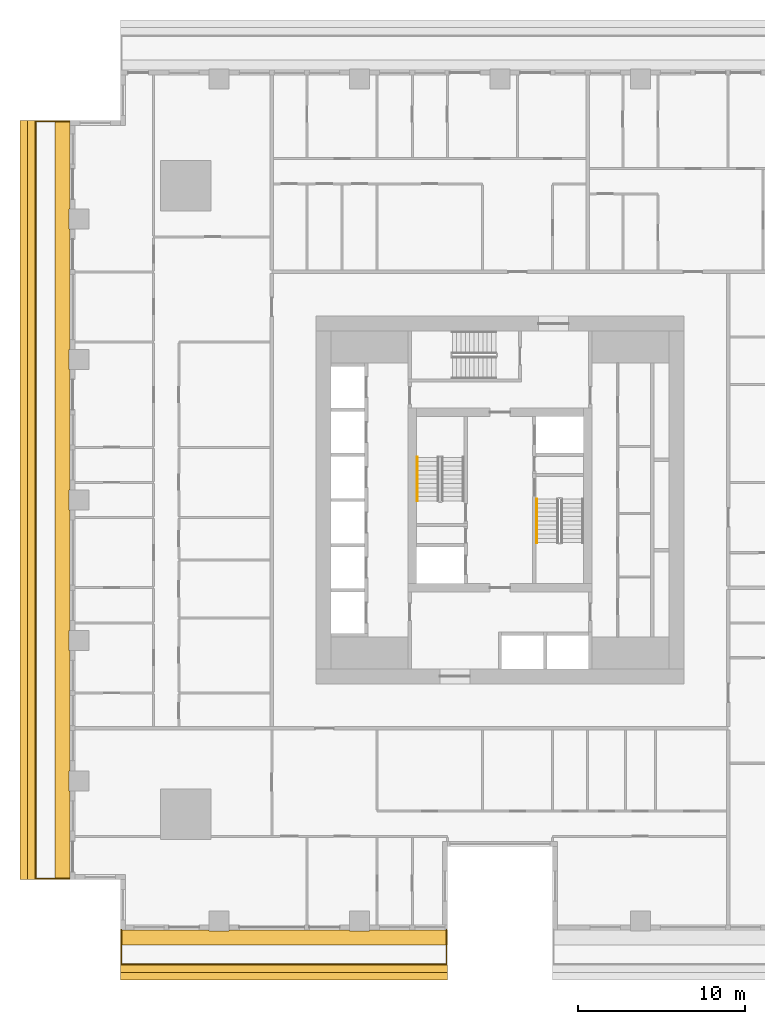
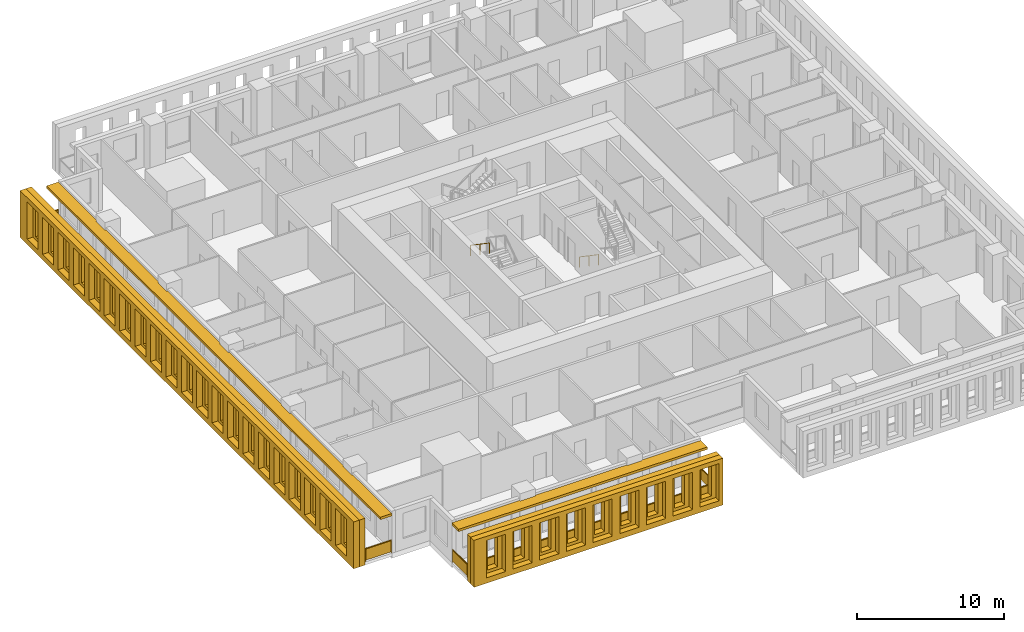
# One storey, part 11 of 15: 6 shading devices, 4 railings.
"""IFC4 building model written with IfcOpenShell, lengths in metres."""

from ifc_helpers import new_model, si_unit, direction, frame, origin, origin_2d, place, context, subcontext, project, spatial, polyline, rectangle, outline, extrude, material, layer, layer_set, type_object, element, save


model = new_model("IFC4")

# Units and contexts
model_context = context("Model", 3, precision=1e-05, world=origin(), true_north=direction((0.0, 1.0)))
body_context = subcontext(model_context, "Body", "Model", "MODEL_VIEW")
ifc_project = project(units=[si_unit("LENGTHUNIT", "METRE"), si_unit("AREAUNIT", "SQUARE_METRE"), si_unit("VOLUMEUNIT", "CUBIC_METRE"), si_unit("PLANEANGLEUNIT", "RADIAN"), si_unit("MASSUNIT", "GRAM", prefix="KILO")], contexts=[model_context])

# Site, building, storey
site_placement = place(None, origin())
site = spatial("IfcSite", under=ifc_project, at=site_placement, CompositionType="ELEMENT")
building_placement = place(site_placement, origin())
building = spatial("IfcBuilding", under=site, at=building_placement, Name="Khepri Terraces", CompositionType="ELEMENT")
storey_placement = place(building_placement, frame((0.0, 0.0, 30.89990234375)))
storey = spatial("IfcBuildingStorey", under=building, at=storey_placement, Name="L06", CompositionType="ELEMENT", Elevation=30.89990234375)

# Railings
ifc_material_1 = material(Name="Stainless steel grade 316", Category="steel")
railing_type_1 = type_object("IfcRailingType", Name="GRD-BAL-1100", PredefinedType="GUARDRAIL", material=ifc_material_1)
railing_1_placement = place(storey_placement, frame((-22.669921875, -25.719970703125, 0.0)))
element("IfcRailing", 1, at=railing_1_placement, inside=storey, type_object=railing_type_1, Name="Balcony guard L06 S", PredefinedType="GUARDRAIL", context=body_context, shape_type="SweptSolid", body=[
    extrude(rectangle(XDim=0.050048828125, YDim=0.06005859375, at=origin_2d()), frame((0.0, 0.0, 1.070068359375), z_axis=(0.0, -1.0, 0.0), x_axis=(1.0, 0.0, 0.0)), (0.0, 0.0, 1.0), 2.050048828125),
    extrude(rectangle(XDim=2.0, YDim=0.011962890625, at=origin_2d()), frame((0.0, -1.02490234375, 0.10009765625), z_axis=(0.0, 0.0, 1.0), x_axis=(0.0, -1.0, 0.0)), (0.0, 0.0, 1.0), 0.93994140625),
    extrude(rectangle(XDim=0.050048828125, YDim=0.06005859375, at=origin_2d()), frame((0.0, -2.050048828125, 1.070068359375), z_axis=(1.0, 0.0, 0.0), x_axis=(0.0, 1.0, 0.0)), (0.0, 0.0, 1.0), 19.469970703125),
    extrude(rectangle(XDim=2.11328125, YDim=0.011962890625, at=origin_2d()), frame((1.08154296875, -2.050048828125, 0.10009765625), z_axis=(0.0, 0.0, 1.0), x_axis=(1.0, 0.0, 0.0)), (0.0, 0.0, 1.0), 0.93994140625),
    extrude(rectangle(XDim=2.11328125, YDim=0.011962890625, at=origin_2d()), frame((3.2451171875, -2.050048828125, 0.10009765625), z_axis=(0.0, 0.0, 1.0), x_axis=(1.0, 0.0, 0.0)), (0.0, 0.0, 1.0), 0.93994140625),
    extrude(rectangle(XDim=2.11328125, YDim=0.011962890625, at=origin_2d()), frame((5.408203125, -2.050048828125, 0.10009765625), z_axis=(0.0, 0.0, 1.0), x_axis=(1.0, 0.0, 0.0)), (0.0, 0.0, 1.0), 0.93994140625),
    extrude(rectangle(XDim=2.11328125, YDim=0.011962890625, at=origin_2d()), frame((7.57177734375, -2.050048828125, 0.10009765625), z_axis=(0.0, 0.0, 1.0), x_axis=(1.0, 0.0, 0.0)), (0.0, 0.0, 1.0), 0.93994140625),
    extrude(rectangle(XDim=2.11328125, YDim=0.011962890625, at=origin_2d()), frame((9.73486328125, -2.050048828125, 0.10009765625), z_axis=(0.0, 0.0, 1.0), x_axis=(1.0, 0.0, 0.0)), (0.0, 0.0, 1.0), 0.93994140625),
    extrude(rectangle(XDim=2.11328125, YDim=0.011962890625, at=origin_2d()), frame((11.8984375, -2.050048828125, 0.10009765625), z_axis=(0.0, 0.0, 1.0), x_axis=(1.0, 0.0, 0.0)), (0.0, 0.0, 1.0), 0.93994140625),
    extrude(rectangle(XDim=2.11328125, YDim=0.011962890625, at=origin_2d()), frame((14.0615234375, -2.050048828125, 0.10009765625), z_axis=(0.0, 0.0, 1.0), x_axis=(1.0, 0.0, 0.0)), (0.0, 0.0, 1.0), 0.93994140625),
    extrude(rectangle(XDim=2.11328125, YDim=0.011962890625, at=origin_2d()), frame((16.22509765625, -2.050048828125, 0.10009765625), z_axis=(0.0, 0.0, 1.0), x_axis=(1.0, 0.0, 0.0)), (0.0, 0.0, 1.0), 0.93994140625),
    extrude(rectangle(XDim=2.11328125, YDim=0.011962890625, at=origin_2d()), frame((18.38818359375, -2.050048828125, 0.10009765625), z_axis=(0.0, 0.0, 1.0), x_axis=(1.0, 0.0, 0.0)), (0.0, 0.0, 1.0), 0.93994140625),
    extrude(rectangle(XDim=0.050048828125, YDim=0.06005859375, at=origin_2d()), frame((19.469970703125, -2.050048828125, 1.070068359375), z_axis=(0.0, 1.0, 0.0), x_axis=(-1.0, 0.0, 0.0)), (0.0, 0.0, 1.0), 2.050048828125),
    extrude(rectangle(XDim=2.0, YDim=0.011962890625, at=origin_2d()), frame((19.469970703125, -1.02490234375, 0.10009765625), z_axis=(0.0, 0.0, 1.0), x_axis=(0.0, 1.0, 0.0)), (0.0, 0.0, 1.0), 0.93994140625),
    extrude(rectangle(XDim=0.050048828125, YDim=0.050048828125, at=origin_2d()), origin(), (0.0, 0.0, 1.0), 1.0400390625),
    extrude(rectangle(XDim=0.050048828125, YDim=0.050048828125, at=origin_2d()), frame((0.0, -2.050048828125, 0.0)), (0.0, 0.0, 1.0), 1.0400390625),
    extrude(rectangle(XDim=0.050048828125, YDim=0.050048828125, at=origin_2d()), frame((2.163330078125, -2.050048828125, 0.0)), (0.0, 0.0, 1.0), 1.0400390625),
    extrude(rectangle(XDim=0.050048828125, YDim=0.050048828125, at=origin_2d()), frame((4.32666015625, -2.050048828125, 0.0)), (0.0, 0.0, 1.0), 1.0400390625),
    extrude(rectangle(XDim=0.050048828125, YDim=0.050048828125, at=origin_2d()), frame((6.489990234375, -2.050048828125, 0.0)), (0.0, 0.0, 1.0), 1.0400390625),
    extrude(rectangle(XDim=0.050048828125, YDim=0.050048828125, at=origin_2d()), frame((8.6533203125, -2.050048828125, 0.0)), (0.0, 0.0, 1.0), 1.0400390625),
    extrude(rectangle(XDim=0.050048828125, YDim=0.050048828125, at=origin_2d()), frame((10.816650390625, -2.050048828125, 0.0)), (0.0, 0.0, 1.0), 1.0400390625),
    extrude(rectangle(XDim=0.050048828125, YDim=0.050048828125, at=origin_2d()), frame((12.97998046875, -2.050048828125, 0.0)), (0.0, 0.0, 1.0), 1.0400390625),
    extrude(rectangle(XDim=0.050048828125, YDim=0.050048828125, at=origin_2d()), frame((15.143310546875, -2.050048828125, 0.0)), (0.0, 0.0, 1.0), 1.0400390625),
    extrude(rectangle(XDim=0.050048828125, YDim=0.050048828125, at=origin_2d()), frame((17.306640625, -2.050048828125, 0.0)), (0.0, 0.0, 1.0), 1.0400390625),
    extrude(rectangle(XDim=0.050048828125, YDim=0.050048828125, at=origin_2d()), frame((19.469970703125, -2.050048828125, 0.0)), (0.0, 0.0, 1.0), 1.0400390625),
    extrude(rectangle(XDim=0.050048828125, YDim=0.050048828125, at=origin_2d()), frame((19.469970703125, 0.0, 0.0)), (0.0, 0.0, 1.0), 1.0400390625),
])
railing_2_placement = place(storey_placement, frame((-25.719970703125, 22.669921875, 0.0)))
element("IfcRailing", 2, at=railing_2_placement, inside=storey, type_object=railing_type_1, Name="Balcony guard L06 W", PredefinedType="GUARDRAIL", context=body_context, shape_type="SweptSolid", body=[
    extrude(rectangle(XDim=0.050048828125, YDim=0.06005859375, at=origin_2d()), frame((0.0, 0.0, 1.070068359375), z_axis=(-1.0, 0.0, 0.0), x_axis=(0.0, -1.0, 0.0)), (0.0, 0.0, 1.0), 2.050048828125),
    extrude(rectangle(XDim=2.0, YDim=0.011962890625, at=origin_2d()), frame((-1.02490234375, 0.0, 0.10009765625), z_axis=(0.0, 0.0, 1.0), x_axis=(-1.0, 0.0, 0.0)), (0.0, 0.0, 1.0), 0.93994140625),
    extrude(rectangle(XDim=0.050048828125, YDim=0.06005859375, at=origin_2d()), frame((-2.050048828125, 0.0, 1.070068359375), z_axis=(0.0, -1.0, 0.0), x_axis=(1.0, 0.0, 0.0)), (0.0, 0.0, 1.0), 45.33984375),
    extrude(rectangle(XDim=2.336181640625, YDim=0.011962890625, at=origin_2d()), frame((-2.050048828125, -1.193115234375, 0.10009765625), z_axis=(0.0, 0.0, 1.0), x_axis=(0.0, -1.0, 0.0)), (0.0, 0.0, 1.0), 0.93994140625),
    extrude(rectangle(XDim=2.336181640625, YDim=0.011962890625, at=origin_2d()), frame((-2.050048828125, -3.579345703125, 0.10009765625), z_axis=(0.0, 0.0, 1.0), x_axis=(0.0, -1.0, 0.0)), (0.0, 0.0, 1.0), 0.93994140625),
    extrude(rectangle(XDim=2.336181640625, YDim=0.011962890625, at=origin_2d()), frame((-2.050048828125, -5.9658203125, 0.10009765625), z_axis=(0.0, 0.0, 1.0), x_axis=(0.0, -1.0, 0.0)), (0.0, 0.0, 1.0), 0.93994140625),
    extrude(rectangle(XDim=2.336181640625, YDim=0.011962890625, at=origin_2d()), frame((-2.050048828125, -8.35205078125, 0.10009765625), z_axis=(0.0, 0.0, 1.0), x_axis=(0.0, -1.0, 0.0)), (0.0, 0.0, 1.0), 0.93994140625),
    extrude(rectangle(XDim=2.336181640625, YDim=0.011962890625, at=origin_2d()), frame((-2.050048828125, -10.73828125, 0.10009765625), z_axis=(0.0, 0.0, 1.0), x_axis=(0.0, -1.0, 0.0)), (0.0, 0.0, 1.0), 0.93994140625),
    extrude(rectangle(XDim=2.336181640625, YDim=0.011962890625, at=origin_2d()), frame((-2.050048828125, -13.124755859375, 0.10009765625), z_axis=(0.0, 0.0, 1.0), x_axis=(0.0, -1.0, 0.0)), (0.0, 0.0, 1.0), 0.93994140625),
    extrude(rectangle(XDim=2.336181640625, YDim=0.011962890625, at=origin_2d()), frame((-2.050048828125, -15.510986328125, 0.10009765625), z_axis=(0.0, 0.0, 1.0), x_axis=(0.0, -1.0, 0.0)), (0.0, 0.0, 1.0), 0.93994140625),
    extrude(rectangle(XDim=2.336181640625, YDim=0.011962890625, at=origin_2d()), frame((-2.050048828125, -17.897216796875, 0.10009765625), z_axis=(0.0, 0.0, 1.0), x_axis=(0.0, -1.0, 0.0)), (0.0, 0.0, 1.0), 0.93994140625),
    extrude(rectangle(XDim=2.336181640625, YDim=0.011962890625, at=origin_2d()), frame((-2.050048828125, -20.28369140625, 0.10009765625), z_axis=(0.0, 0.0, 1.0), x_axis=(0.0, -1.0, 0.0)), (0.0, 0.0, 1.0), 0.93994140625),
    extrude(rectangle(XDim=2.336181640625, YDim=0.011962890625, at=origin_2d()), frame((-2.050048828125, -22.669921875, 0.10009765625), z_axis=(0.0, 0.0, 1.0), x_axis=(0.0, -1.0, 0.0)), (0.0, 0.0, 1.0), 0.93994140625),
    extrude(rectangle(XDim=2.336181640625, YDim=0.011962890625, at=origin_2d()), frame((-2.050048828125, -25.05615234375, 0.10009765625), z_axis=(0.0, 0.0, 1.0), x_axis=(0.0, -1.0, 0.0)), (0.0, 0.0, 1.0), 0.93994140625),
    extrude(rectangle(XDim=2.336181640625, YDim=0.011962890625, at=origin_2d()), frame((-2.050048828125, -27.442626953125, 0.10009765625), z_axis=(0.0, 0.0, 1.0), x_axis=(0.0, -1.0, 0.0)), (0.0, 0.0, 1.0), 0.93994140625),
    extrude(rectangle(XDim=2.336181640625, YDim=0.011962890625, at=origin_2d()), frame((-2.050048828125, -29.828857421875, 0.10009765625), z_axis=(0.0, 0.0, 1.0), x_axis=(0.0, -1.0, 0.0)), (0.0, 0.0, 1.0), 0.93994140625),
    extrude(rectangle(XDim=2.336181640625, YDim=0.011962890625, at=origin_2d()), frame((-2.050048828125, -32.215087890625, 0.10009765625), z_axis=(0.0, 0.0, 1.0), x_axis=(0.0, -1.0, 0.0)), (0.0, 0.0, 1.0), 0.93994140625),
    extrude(rectangle(XDim=2.336181640625, YDim=0.011962890625, at=origin_2d()), frame((-2.050048828125, -34.6015625, 0.10009765625), z_axis=(0.0, 0.0, 1.0), x_axis=(0.0, -1.0, 0.0)), (0.0, 0.0, 1.0), 0.93994140625),
    extrude(rectangle(XDim=2.336181640625, YDim=0.011962890625, at=origin_2d()), frame((-2.050048828125, -36.98779296875, 0.10009765625), z_axis=(0.0, 0.0, 1.0), x_axis=(0.0, -1.0, 0.0)), (0.0, 0.0, 1.0), 0.93994140625),
    extrude(rectangle(XDim=2.336181640625, YDim=0.011962890625, at=origin_2d()), frame((-2.050048828125, -39.3740234375, 0.10009765625), z_axis=(0.0, 0.0, 1.0), x_axis=(0.0, -1.0, 0.0)), (0.0, 0.0, 1.0), 0.93994140625),
    extrude(rectangle(XDim=2.336181640625, YDim=0.011962890625, at=origin_2d()), frame((-2.050048828125, -41.760498046875, 0.10009765625), z_axis=(0.0, 0.0, 1.0), x_axis=(0.0, -1.0, 0.0)), (0.0, 0.0, 1.0), 0.93994140625),
    extrude(rectangle(XDim=2.336181640625, YDim=0.011962890625, at=origin_2d()), frame((-2.050048828125, -44.146728515625, 0.10009765625), z_axis=(0.0, 0.0, 1.0), x_axis=(0.0, -1.0, 0.0)), (0.0, 0.0, 1.0), 0.93994140625),
    extrude(rectangle(XDim=0.050048828125, YDim=0.06005859375, at=origin_2d()), frame((-2.050048828125, -45.33984375, 1.070068359375), z_axis=(1.0, 0.0, 0.0), x_axis=(0.0, 1.0, 0.0)), (0.0, 0.0, 1.0), 2.050048828125),
    extrude(rectangle(XDim=2.0, YDim=0.011962890625, at=origin_2d()), frame((-1.02490234375, -45.33984375, 0.10009765625), z_axis=(0.0, 0.0, 1.0), x_axis=(1.0, 0.0, 0.0)), (0.0, 0.0, 1.0), 0.93994140625),
    extrude(rectangle(XDim=0.050048828125, YDim=0.050048828125, at=origin_2d()), origin(), (0.0, 0.0, 1.0), 1.0400390625),
    extrude(rectangle(XDim=0.050048828125, YDim=0.050048828125, at=origin_2d()), frame((-2.050048828125, 0.0, 0.0)), (0.0, 0.0, 1.0), 1.0400390625),
    extrude(rectangle(XDim=0.050048828125, YDim=0.050048828125, at=origin_2d()), frame((-2.050048828125, -2.38623046875, 0.0)), (0.0, 0.0, 1.0), 1.0400390625),
    extrude(rectangle(XDim=0.050048828125, YDim=0.050048828125, at=origin_2d()), frame((-2.050048828125, -4.772705078125, 0.0)), (0.0, 0.0, 1.0), 1.0400390625),
    extrude(rectangle(XDim=0.050048828125, YDim=0.050048828125, at=origin_2d()), frame((-2.050048828125, -7.158935546875, 0.0)), (0.0, 0.0, 1.0), 1.0400390625),
    extrude(rectangle(XDim=0.050048828125, YDim=0.050048828125, at=origin_2d()), frame((-2.050048828125, -9.545166015625, 0.0)), (0.0, 0.0, 1.0), 1.0400390625),
    extrude(rectangle(XDim=0.050048828125, YDim=0.050048828125, at=origin_2d()), frame((-2.050048828125, -11.931640625, 0.0)), (0.0, 0.0, 1.0), 1.0400390625),
    extrude(rectangle(XDim=0.050048828125, YDim=0.050048828125, at=origin_2d()), frame((-2.050048828125, -14.31787109375, 0.0)), (0.0, 0.0, 1.0), 1.0400390625),
    extrude(rectangle(XDim=0.050048828125, YDim=0.050048828125, at=origin_2d()), frame((-2.050048828125, -16.7041015625, 0.0)), (0.0, 0.0, 1.0), 1.0400390625),
    extrude(rectangle(XDim=0.050048828125, YDim=0.050048828125, at=origin_2d()), frame((-2.050048828125, -19.090576171875, 0.0)), (0.0, 0.0, 1.0), 1.0400390625),
    extrude(rectangle(XDim=0.050048828125, YDim=0.050048828125, at=origin_2d()), frame((-2.050048828125, -21.476806640625, 0.0)), (0.0, 0.0, 1.0), 1.0400390625),
    extrude(rectangle(XDim=0.050048828125, YDim=0.050048828125, at=origin_2d()), frame((-2.050048828125, -23.863037109375, 0.0)), (0.0, 0.0, 1.0), 1.0400390625),
    extrude(rectangle(XDim=0.050048828125, YDim=0.050048828125, at=origin_2d()), frame((-2.050048828125, -26.249267578125, 0.0)), (0.0, 0.0, 1.0), 1.0400390625),
    extrude(rectangle(XDim=0.050048828125, YDim=0.050048828125, at=origin_2d()), frame((-2.050048828125, -28.6357421875, 0.0)), (0.0, 0.0, 1.0), 1.0400390625),
    extrude(rectangle(XDim=0.050048828125, YDim=0.050048828125, at=origin_2d()), frame((-2.050048828125, -31.02197265625, 0.0)), (0.0, 0.0, 1.0), 1.0400390625),
    extrude(rectangle(XDim=0.050048828125, YDim=0.050048828125, at=origin_2d()), frame((-2.050048828125, -33.408203125, 0.0)), (0.0, 0.0, 1.0), 1.0400390625),
    extrude(rectangle(XDim=0.050048828125, YDim=0.050048828125, at=origin_2d()), frame((-2.050048828125, -35.794677734375, 0.0)), (0.0, 0.0, 1.0), 1.0400390625),
    extrude(rectangle(XDim=0.050048828125, YDim=0.050048828125, at=origin_2d()), frame((-2.050048828125, -38.180908203125, 0.0)), (0.0, 0.0, 1.0), 1.0400390625),
    extrude(rectangle(XDim=0.050048828125, YDim=0.050048828125, at=origin_2d()), frame((-2.050048828125, -40.567138671875, 0.0)), (0.0, 0.0, 1.0), 1.0400390625),
    extrude(rectangle(XDim=0.050048828125, YDim=0.050048828125, at=origin_2d()), frame((-2.050048828125, -42.95361328125, 0.0)), (0.0, 0.0, 1.0), 1.0400390625),
    extrude(rectangle(XDim=0.050048828125, YDim=0.050048828125, at=origin_2d()), frame((-2.050048828125, -45.33984375, 0.0)), (0.0, 0.0, 1.0), 1.0400390625),
    extrude(rectangle(XDim=0.050048828125, YDim=0.050048828125, at=origin_2d()), frame((0.0, -45.33984375, 0.0)), (0.0, 0.0, 1.0), 1.0400390625),
])
ifc_material_2 = material(Name="Stainless steel 316", Category="steel")
railing_type_2 = type_object("IfcRailingType", Name="RL-CORE-HANDRAIL", PredefinedType="HANDRAIL", material=ifc_material_2)
for number, where, name in (
    (3, (-4.949951171875, 2.550048828125, 2.12744140625), "L06 ST-1 stair handrail 2"),
    (4, (2.199951171875, 0.050048828125, 0.177490234375), "L06 ST-2 stair handrail 1"),
):
    element("IfcRailing", number, at=place(storey_placement, frame(where)), inside=storey, type_object=railing_type_2, Name=name, PredefinedType="HANDRAIL", context=body_context, shape_type="SweptSolid", body=[
        extrude(rectangle(XDim=0.050048828125, YDim=0.050048828125, at=origin_2d()), frame((0.0, 0.0, 0.875), z_axis=(0.0, -0.826240473404, 0.563317565952), x_axis=(1.0, 0.0, 0.0)), (0.0, 0.0, 1.0), 3.14697265625),
        extrude(rectangle(XDim=0.050048828125, YDim=0.050048828125, at=origin_2d()), origin(), (0.0, 0.0, 1.0), 0.849853515625),
        extrude(rectangle(XDim=0.050048828125, YDim=0.050048828125, at=origin_2d()), frame((0.0, -1.300048828125, 0.88623046875)), (0.0, 0.0, 1.0), 0.849853515625),
        extrude(rectangle(XDim=0.050048828125, YDim=0.050048828125, at=origin_2d()), frame((0.0, -2.60009765625, 1.772705078125)), (0.0, 0.0, 1.0), 0.849853515625),
    ])

# Shading devices
ifc_material_3 = material(Name="Precast concrete C50/60 warm stone", Category="masonry")
shading_device_type_1 = type_object("IfcShadingDeviceType", Name="SCR-CELL-INNER-450", PredefinedType="USERDEFINED", material=ifc_material_3)
shading_device_1_placement = place(storey_placement, frame((-22.719970703125, -27.820068359375, -0.25), z_axis=(0.0, -1.0, 0.0), x_axis=(1.0, 0.0, 0.0)))
element("IfcShadingDevice", 5, at=shading_device_1_placement, inside=storey, type_object=shading_device_type_1, Name="Cell screen L06 S in", ObjectType="SCREEN", PredefinedType="USERDEFINED", context=body_context, shape_type="SweptSolid", body=[
    extrude(outline(polyline([(0.0, 0.0), (19.570068359375, 0.0), (19.570068359375, 3.89990234375), (0.0, 3.89990234375), (0.0, 0.0)]), holes=[polyline([(1.318359375, 0.699951171875), (2.12158203125, 0.699951171875), (2.12158203125, 3.300048828125), (1.318359375, 3.300048828125), (1.318359375, 0.699951171875)]), polyline([(3.41845703125, 0.699951171875), (4.2216796875, 0.699951171875), (4.2216796875, 3.300048828125), (3.41845703125, 3.300048828125), (3.41845703125, 0.699951171875)]), polyline([(5.518310546875, 0.699951171875), (6.321533203125, 0.699951171875), (6.321533203125, 3.300048828125), (5.518310546875, 3.300048828125), (5.518310546875, 0.699951171875)]), polyline([(7.618408203125, 0.699951171875), (8.421630859375, 0.699951171875), (8.421630859375, 3.300048828125), (7.618408203125, 3.300048828125), (7.618408203125, 0.699951171875)]), polyline([(9.718505859375, 0.699951171875), (10.521484375, 0.699951171875), (10.521484375, 3.300048828125), (9.718505859375, 3.300048828125), (9.718505859375, 0.699951171875)]), polyline([(11.818359375, 0.699951171875), (12.62158203125, 0.699951171875), (12.62158203125, 3.300048828125), (11.818359375, 3.300048828125), (11.818359375, 0.699951171875)]), polyline([(13.91845703125, 0.699951171875), (14.7216796875, 0.699951171875), (14.7216796875, 3.300048828125), (13.91845703125, 3.300048828125), (13.91845703125, 0.699951171875)]), polyline([(16.018310546875, 0.699951171875), (16.821533203125, 0.699951171875), (16.821533203125, 3.300048828125), (16.018310546875, 3.300048828125), (16.018310546875, 0.699951171875)]), polyline([(18.118408203125, 0.699951171875), (18.921630859375, 0.699951171875), (18.921630859375, 3.300048828125), (18.118408203125, 3.300048828125), (18.118408203125, 0.699951171875)])]), origin(), (0.0, 0.0, 1.0), 0.449951171875),
])
shading_device_2_placement = place(storey_placement, frame((-27.820068359375, 22.719970703125, -0.25), z_axis=(-1.0, 0.0, 0.0), x_axis=(0.0, -1.0, 0.0)))
element("IfcShadingDevice", 6, at=shading_device_2_placement, inside=storey, type_object=shading_device_type_1, Name="Cell screen L06 W in", ObjectType="SCREEN", PredefinedType="USERDEFINED", context=body_context, shape_type="SweptSolid", body=[
    extrude(outline(polyline([(0.0, 0.0), (45.43994140625, 0.0), (45.43994140625, 3.89990234375), (0.0, 3.89990234375), (0.0, 0.0)]), holes=[polyline([(1.318359375, 0.699951171875), (2.12158203125, 0.699951171875), (2.12158203125, 3.300048828125), (1.318359375, 3.300048828125), (1.318359375, 0.699951171875)]), polyline([(3.41845703125, 0.699951171875), (4.2216796875, 0.699951171875), (4.2216796875, 3.300048828125), (3.41845703125, 3.300048828125), (3.41845703125, 0.699951171875)]), polyline([(5.518310546875, 0.699951171875), (6.321533203125, 0.699951171875), (6.321533203125, 3.300048828125), (5.518310546875, 3.300048828125), (5.518310546875, 0.699951171875)]), polyline([(7.618408203125, 0.699951171875), (8.421630859375, 0.699951171875), (8.421630859375, 3.300048828125), (7.618408203125, 3.300048828125), (7.618408203125, 0.699951171875)]), polyline([(9.718505859375, 0.699951171875), (10.521484375, 0.699951171875), (10.521484375, 3.300048828125), (9.718505859375, 3.300048828125), (9.718505859375, 0.699951171875)]), polyline([(11.818359375, 0.699951171875), (12.62158203125, 0.699951171875), (12.62158203125, 3.300048828125), (11.818359375, 3.300048828125), (11.818359375, 0.699951171875)]), polyline([(13.91845703125, 0.699951171875), (14.7216796875, 0.699951171875), (14.7216796875, 3.300048828125), (13.91845703125, 3.300048828125), (13.91845703125, 0.699951171875)]), polyline([(16.018310546875, 0.699951171875), (16.821533203125, 0.699951171875), (16.821533203125, 3.300048828125), (16.018310546875, 3.300048828125), (16.018310546875, 0.699951171875)]), polyline([(18.118408203125, 0.699951171875), (18.921630859375, 0.699951171875), (18.921630859375, 3.300048828125), (18.118408203125, 3.300048828125), (18.118408203125, 0.699951171875)]), polyline([(20.218505859375, 0.699951171875), (21.021484375, 0.699951171875), (21.021484375, 3.300048828125), (20.218505859375, 3.300048828125), (20.218505859375, 0.699951171875)]), polyline([(22.318359375, 0.699951171875), (23.12158203125, 0.699951171875), (23.12158203125, 3.300048828125), (22.318359375, 3.300048828125), (22.318359375, 0.699951171875)]), polyline([(24.41845703125, 0.699951171875), (25.2216796875, 0.699951171875), (25.2216796875, 3.300048828125), (24.41845703125, 3.300048828125), (24.41845703125, 0.699951171875)]), polyline([(26.518310546875, 0.699951171875), (27.321533203125, 0.699951171875), (27.321533203125, 3.300048828125), (26.518310546875, 3.300048828125), (26.518310546875, 0.699951171875)]), polyline([(28.618408203125, 0.699951171875), (29.421630859375, 0.699951171875), (29.421630859375, 3.300048828125), (28.618408203125, 3.300048828125), (28.618408203125, 0.699951171875)]), polyline([(30.718505859375, 0.699951171875), (31.521484375, 0.699951171875), (31.521484375, 3.300048828125), (30.718505859375, 3.300048828125), (30.718505859375, 0.699951171875)]), polyline([(32.818359375, 0.699951171875), (33.62158203125, 0.699951171875), (33.62158203125, 3.300048828125), (32.818359375, 3.300048828125), (32.818359375, 0.699951171875)]), polyline([(34.91845703125, 0.699951171875), (35.7216796875, 0.699951171875), (35.7216796875, 3.300048828125), (34.91845703125, 3.300048828125), (34.91845703125, 0.699951171875)]), polyline([(37.018310546875, 0.699951171875), (37.821533203125, 0.699951171875), (37.821533203125, 3.300048828125), (37.018310546875, 3.300048828125), (37.018310546875, 0.699951171875)]), polyline([(39.118408203125, 0.699951171875), (39.921630859375, 0.699951171875), (39.921630859375, 3.300048828125), (39.118408203125, 3.300048828125), (39.118408203125, 0.699951171875)]), polyline([(41.218505859375, 0.699951171875), (42.021484375, 0.699951171875), (42.021484375, 3.300048828125), (41.218505859375, 3.300048828125), (41.218505859375, 0.699951171875)]), polyline([(43.318359375, 0.699951171875), (44.12158203125, 0.699951171875), (44.12158203125, 3.300048828125), (43.318359375, 3.300048828125), (43.318359375, 0.699951171875)])]), origin(), (0.0, 0.0, 1.0), 0.449951171875),
])
shading_device_type_2 = type_object("IfcShadingDeviceType", Name="SCR-CELL-OUTER-450", PredefinedType="USERDEFINED", material=ifc_material_3)
shading_device_3_placement = place(storey_placement, frame((-22.719970703125, -28.27001953125, -0.25), z_axis=(0.0, -1.0, 0.0), x_axis=(1.0, 0.0, 0.0)))
element("IfcShadingDevice", 7, at=shading_device_3_placement, inside=storey, type_object=shading_device_type_2, Name="Cell screen L06 S out", ObjectType="SCREEN", PredefinedType="USERDEFINED", context=body_context, shape_type="SweptSolid", body=[
    extrude(outline(polyline([(0.0, 0.0), (19.570068359375, 0.0), (19.570068359375, 3.89990234375), (0.0, 3.89990234375), (0.0, 0.0)]), holes=[polyline([(0.968505859375, 0.449951171875), (2.4716796875, 0.449951171875), (2.4716796875, 3.550048828125), (0.968505859375, 3.550048828125), (0.968505859375, 0.449951171875)]), polyline([(3.068359375, 0.449951171875), (4.571533203125, 0.449951171875), (4.571533203125, 3.550048828125), (3.068359375, 3.550048828125), (3.068359375, 0.449951171875)]), polyline([(5.16845703125, 0.449951171875), (6.671630859375, 0.449951171875), (6.671630859375, 3.550048828125), (5.16845703125, 3.550048828125), (5.16845703125, 0.449951171875)]), polyline([(7.268310546875, 0.449951171875), (8.771484375, 0.449951171875), (8.771484375, 3.550048828125), (7.268310546875, 3.550048828125), (7.268310546875, 0.449951171875)]), polyline([(9.368408203125, 0.449951171875), (10.87158203125, 0.449951171875), (10.87158203125, 3.550048828125), (9.368408203125, 3.550048828125), (9.368408203125, 0.449951171875)]), polyline([(11.468505859375, 0.449951171875), (12.9716796875, 0.449951171875), (12.9716796875, 3.550048828125), (11.468505859375, 3.550048828125), (11.468505859375, 0.449951171875)]), polyline([(13.568359375, 0.449951171875), (15.071533203125, 0.449951171875), (15.071533203125, 3.550048828125), (13.568359375, 3.550048828125), (13.568359375, 0.449951171875)]), polyline([(15.66845703125, 0.449951171875), (17.171630859375, 0.449951171875), (17.171630859375, 3.550048828125), (15.66845703125, 3.550048828125), (15.66845703125, 0.449951171875)]), polyline([(17.768310546875, 0.449951171875), (19.271484375, 0.449951171875), (19.271484375, 3.550048828125), (17.768310546875, 3.550048828125), (17.768310546875, 0.449951171875)])]), origin(), (0.0, 0.0, 1.0), 0.449951171875),
])
shading_device_4_placement = place(storey_placement, frame((-28.27001953125, 22.719970703125, -0.25), z_axis=(-1.0, 0.0, 0.0), x_axis=(0.0, -1.0, 0.0)))
element("IfcShadingDevice", 8, at=shading_device_4_placement, inside=storey, type_object=shading_device_type_2, Name="Cell screen L06 W out", ObjectType="SCREEN", PredefinedType="USERDEFINED", context=body_context, shape_type="SweptSolid", body=[
    extrude(outline(polyline([(0.0, 0.0), (45.43994140625, 0.0), (45.43994140625, 3.89990234375), (0.0, 3.89990234375), (0.0, 0.0)]), holes=[polyline([(0.968505859375, 0.449951171875), (2.4716796875, 0.449951171875), (2.4716796875, 3.550048828125), (0.968505859375, 3.550048828125), (0.968505859375, 0.449951171875)]), polyline([(3.068359375, 0.449951171875), (4.571533203125, 0.449951171875), (4.571533203125, 3.550048828125), (3.068359375, 3.550048828125), (3.068359375, 0.449951171875)]), polyline([(5.16845703125, 0.449951171875), (6.671630859375, 0.449951171875), (6.671630859375, 3.550048828125), (5.16845703125, 3.550048828125), (5.16845703125, 0.449951171875)]), polyline([(7.268310546875, 0.449951171875), (8.771484375, 0.449951171875), (8.771484375, 3.550048828125), (7.268310546875, 3.550048828125), (7.268310546875, 0.449951171875)]), polyline([(9.368408203125, 0.449951171875), (10.87158203125, 0.449951171875), (10.87158203125, 3.550048828125), (9.368408203125, 3.550048828125), (9.368408203125, 0.449951171875)]), polyline([(11.468505859375, 0.449951171875), (12.9716796875, 0.449951171875), (12.9716796875, 3.550048828125), (11.468505859375, 3.550048828125), (11.468505859375, 0.449951171875)]), polyline([(13.568359375, 0.449951171875), (15.071533203125, 0.449951171875), (15.071533203125, 3.550048828125), (13.568359375, 3.550048828125), (13.568359375, 0.449951171875)]), polyline([(15.66845703125, 0.449951171875), (17.171630859375, 0.449951171875), (17.171630859375, 3.550048828125), (15.66845703125, 3.550048828125), (15.66845703125, 0.449951171875)]), polyline([(17.768310546875, 0.449951171875), (19.271484375, 0.449951171875), (19.271484375, 3.550048828125), (17.768310546875, 3.550048828125), (17.768310546875, 0.449951171875)]), polyline([(19.868408203125, 0.449951171875), (21.37158203125, 0.449951171875), (21.37158203125, 3.550048828125), (19.868408203125, 3.550048828125), (19.868408203125, 0.449951171875)]), polyline([(21.968505859375, 0.449951171875), (23.4716796875, 0.449951171875), (23.4716796875, 3.550048828125), (21.968505859375, 3.550048828125), (21.968505859375, 0.449951171875)]), polyline([(24.068359375, 0.449951171875), (25.571533203125, 0.449951171875), (25.571533203125, 3.550048828125), (24.068359375, 3.550048828125), (24.068359375, 0.449951171875)]), polyline([(26.16845703125, 0.449951171875), (27.671630859375, 0.449951171875), (27.671630859375, 3.550048828125), (26.16845703125, 3.550048828125), (26.16845703125, 0.449951171875)]), polyline([(28.268310546875, 0.449951171875), (29.771484375, 0.449951171875), (29.771484375, 3.550048828125), (28.268310546875, 3.550048828125), (28.268310546875, 0.449951171875)]), polyline([(30.368408203125, 0.449951171875), (31.87158203125, 0.449951171875), (31.87158203125, 3.550048828125), (30.368408203125, 3.550048828125), (30.368408203125, 0.449951171875)]), polyline([(32.468505859375, 0.449951171875), (33.9716796875, 0.449951171875), (33.9716796875, 3.550048828125), (32.468505859375, 3.550048828125), (32.468505859375, 0.449951171875)]), polyline([(34.568359375, 0.449951171875), (36.071533203125, 0.449951171875), (36.071533203125, 3.550048828125), (34.568359375, 3.550048828125), (34.568359375, 0.449951171875)]), polyline([(36.66845703125, 0.449951171875), (38.171630859375, 0.449951171875), (38.171630859375, 3.550048828125), (36.66845703125, 3.550048828125), (36.66845703125, 0.449951171875)]), polyline([(38.768310546875, 0.449951171875), (40.271484375, 0.449951171875), (40.271484375, 3.550048828125), (38.768310546875, 3.550048828125), (38.768310546875, 0.449951171875)]), polyline([(40.868408203125, 0.449951171875), (42.37158203125, 0.449951171875), (42.37158203125, 3.550048828125), (40.868408203125, 3.550048828125), (40.868408203125, 0.449951171875)]), polyline([(42.968505859375, 0.449951171875), (44.4716796875, 0.449951171875), (44.4716796875, 3.550048828125), (42.968505859375, 3.550048828125), (42.968505859375, 0.449951171875)])]), origin(), (0.0, 0.0, 1.0), 0.449951171875),
])
ifc_layer = layer(ifc_material_3, 0.199951171875, Name="Precast concrete C50/60 warm stone", Category="masonry")
ifc_layer_set = layer_set([ifc_layer], Name="Precast concrete C50/60 warm stone")
shading_device_type_3 = type_object("IfcShadingDeviceType", Name="SSH-BAND-STONE-200", PredefinedType="USERDEFINED", material=ifc_layer_set)
shading_device_5_placement = place(storey_placement, frame((0.0, 0.0, 3.10009765625)))
element("IfcShadingDevice", 9, at=shading_device_5_placement, inside=storey, type_object=shading_device_type_3, Name="Sunshade band L06 S", ObjectType="SUNSHADE", PredefinedType="USERDEFINED", context=body_context, shape_type="SweptSolid", body=[
    extrude(outline(polyline([(-17.39990234375, -25.719970703125), (-22.719970703125, -25.719970703125), (-22.719970703125, -26.6201171875), (-3.14990234375, -26.6201171875), (-3.14990234375, -25.719970703125), (-7.800048828125, -25.719970703125), (-7.800048828125, -25.800048828125), (-9.0, -25.800048828125), (-9.0, -25.719970703125), (-16.199951171875, -25.719970703125), (-16.199951171875, -25.800048828125), (-17.39990234375, -25.800048828125), (-17.39990234375, -25.719970703125)])), origin(), (0.0, 0.0, 1.0), 0.199951171875),
])
shading_device_6_placement = place(storey_placement, frame((0.0, 0.0, 3.10009765625)))
element("IfcShadingDevice", 10, at=shading_device_6_placement, inside=storey, type_object=shading_device_type_3, Name="Sunshade band L06 W", ObjectType="SUNSHADE", PredefinedType="USERDEFINED", context=body_context, shape_type="SweptSolid", body=[
    extrude(outline(polyline([(-25.719970703125, 17.39990234375), (-25.719970703125, 22.719970703125), (-26.6201171875, 22.719970703125), (-26.6201171875, -22.719970703125), (-25.719970703125, -22.719970703125), (-25.719970703125, -17.39990234375), (-25.800048828125, -17.39990234375), (-25.800048828125, -16.199951171875), (-25.719970703125, -16.199951171875), (-25.719970703125, -9.0), (-25.800048828125, -9.0), (-25.800048828125, -7.800048828125), (-25.719970703125, -7.800048828125), (-25.719970703125, -0.60009765625), (-25.800048828125, -0.60009765625), (-25.800048828125, 0.60009765625), (-25.719970703125, 0.60009765625), (-25.719970703125, 7.800048828125), (-25.800048828125, 7.800048828125), (-25.800048828125, 9.0), (-25.719970703125, 9.0), (-25.719970703125, 16.199951171875), (-25.800048828125, 16.199951171875), (-25.800048828125, 17.39990234375), (-25.719970703125, 17.39990234375)])), origin(), (0.0, 0.0, 1.0), 0.199951171875),
])

save(model, "model.ifc")
